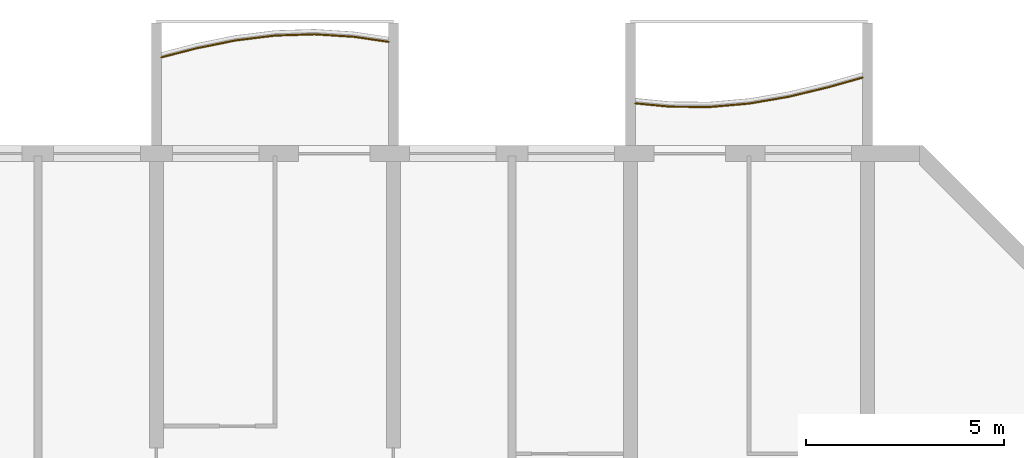
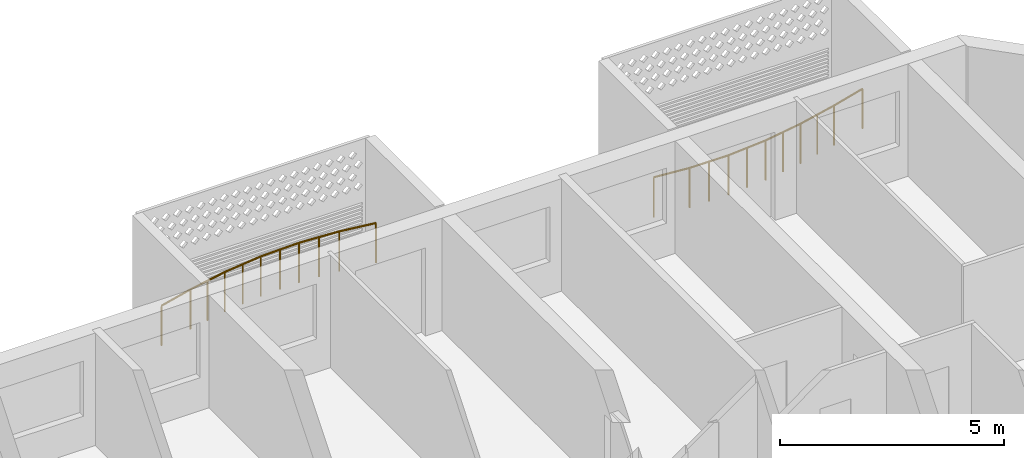
# One storey, part 24 of 25: 2 railings.
"""IFC4 building model written with IfcOpenShell, lengths in metres."""

from ifc_helpers import new_model, si_unit, direction, frame, origin, origin_2d, place, context, subcontext, project, spatial, circle, extrude, material, type_object, element, save


model = new_model("IFC4")

# Units and contexts
model_context = context("Model", 3, precision=1e-05, world=origin(), true_north=direction((0.0, 1.0)))
body_context = subcontext(model_context, "Body", "Model", "MODEL_VIEW")
ifc_project = project(units=[si_unit("LENGTHUNIT", "METRE"), si_unit("AREAUNIT", "SQUARE_METRE"), si_unit("VOLUMEUNIT", "CUBIC_METRE"), si_unit("PLANEANGLEUNIT", "RADIAN"), si_unit("MASSUNIT", "GRAM", prefix="KILO")], contexts=[model_context])

# Site, building, storey
site_placement = place(None, origin())
site = spatial("IfcSite", under=ifc_project, at=site_placement, CompositionType="ELEMENT")
building_placement = place(site_placement, origin())
building = spatial("IfcBuilding", under=site, at=building_placement, Name="Poui Terraces", CompositionType="ELEMENT")
storey_placement = place(building_placement, frame((0.0, 0.0, 89.39990234375)))
storey = spatial("IfcBuildingStorey", under=building, at=storey_placement, Name="L24", CompositionType="ELEMENT", Elevation=89.39990234375)

# Railings
ifc_material = material(Name="Painted steel fretwork", Category="steel")
railing_type = type_object("IfcRailingType", Name="BALCONY GUARD 1100", PredefinedType="GUARDRAIL", material=ifc_material)
railing_1_placement = place(storey_placement, frame((72.125, 46.03466796875, 0.0)))
element("IfcRailing", 1, at=railing_1_placement, inside=storey, type_object=railing_type, Name="BALCONY GUARD", PredefinedType="GUARDRAIL", context=body_context, shape_type="SweptSolid", body=[
    extrude(circle(Radius=0.02392578125, at=origin_2d()), frame((0.0, 0.0, 1.076171875), z_axis=(0.968270997587, 0.249902531464, 0.0), x_axis=(-0.249902531464, 0.968270997587, 0.0)), (0.0, 0.0, 1.0), 0.903564453125),
    extrude(circle(Radius=0.02392578125, at=origin_2d()), frame((0.875, 0.225830078125, 1.076171875), z_axis=(0.980080566497, 0.198600310106, 0.0), x_axis=(-0.198600310106, 0.980080566497, 0.0)), (0.0, 0.0, 1.0), 1.020263671875),
    extrude(circle(Radius=0.02392578125, at=origin_2d()), frame((1.875, 0.428466796875, 1.076171875), z_axis=(0.992426262271, 0.122841824944, 0.0), x_axis=(-0.122841824944, 0.992426262271, 0.0)), (0.0, 0.0, 1.0), 1.007568359375),
    extrude(circle(Radius=0.02392578125, at=origin_2d()), frame((2.875, 0.55224609375, 1.076171875), z_axis=(0.999496720941, 0.031722308038, 0.0), x_axis=(-0.031722308038, 0.999496720941, 0.0)), (0.0, 0.0, 1.0), 1.00048828125),
    extrude(circle(Radius=0.02392578125, at=origin_2d()), frame((3.875, 0.583984375, 1.076171875), z_axis=(0.998006805525, -0.063106387361, 0.0), x_axis=(0.063106387361, 0.998006805525, 0.0)), (0.0, 0.0, 1.0), 1.001953125),
    extrude(circle(Radius=0.02392578125, at=origin_2d()), frame((4.875, 0.520751953125, 1.076171875), z_axis=(0.989401169276, -0.1452078725, 0.0), x_axis=(0.1452078725, 0.989401169276, 0.0)), (0.0, 0.0, 1.0), 0.88427734375),
    extrude(circle(Radius=0.02099609375, at=origin_2d()), origin(), (0.0, 0.0, 1.0), 1.052001953125),
    extrude(circle(Radius=0.02099609375, at=origin_2d()), frame((0.875, 0.225830078125, 0.0)), (0.0, 0.0, 1.0), 1.052001953125),
    extrude(circle(Radius=0.02099609375, at=origin_2d()), frame((1.375, 0.3271484375, 0.0)), (0.0, 0.0, 1.0), 1.052001953125),
    extrude(circle(Radius=0.02099609375, at=origin_2d()), frame((1.875, 0.428466796875, 0.0)), (0.0, 0.0, 1.0), 1.052001953125),
    extrude(circle(Radius=0.02099609375, at=origin_2d()), frame((2.375, 0.490234375, 0.0)), (0.0, 0.0, 1.0), 1.052001953125),
    extrude(circle(Radius=0.02099609375, at=origin_2d()), frame((2.875, 0.55224609375, 0.0)), (0.0, 0.0, 1.0), 1.052001953125),
    extrude(circle(Radius=0.02099609375, at=origin_2d()), frame((3.375, 0.568115234375, 0.0)), (0.0, 0.0, 1.0), 1.052001953125),
    extrude(circle(Radius=0.02099609375, at=origin_2d()), frame((3.875, 0.583984375, 0.0)), (0.0, 0.0, 1.0), 1.052001953125),
    extrude(circle(Radius=0.02099609375, at=origin_2d()), frame((4.375, 0.55224609375, 0.0)), (0.0, 0.0, 1.0), 1.052001953125),
    extrude(circle(Radius=0.02099609375, at=origin_2d()), frame((4.875, 0.520751953125, 0.0)), (0.0, 0.0, 1.0), 1.052001953125),
    extrude(circle(Radius=0.02099609375, at=origin_2d()), frame((5.75, 0.392333984375, 0.0)), (0.0, 0.0, 1.0), 1.052001953125),
])
railing_2_placement = place(storey_placement, frame((84.125, 44.870361328125, 0.0)))
element("IfcRailing", 2, at=railing_2_placement, inside=storey, type_object=railing_type, Name="BALCONY GUARD", PredefinedType="GUARDRAIL", context=body_context, shape_type="SweptSolid", body=[
    extrude(circle(Radius=0.02392578125, at=origin_2d()), frame((0.0, 0.0, 1.076171875), z_axis=(0.995425298545, -0.095543053209, 0.0), x_axis=(0.095543053209, 0.995425298545, 0.0)), (0.0, 0.0, 1.0), 0.87890625),
    extrude(circle(Radius=0.02392578125, at=origin_2d()), frame((0.875, -0.083984375, 1.076171875), z_axis=(0.999967546851, -0.008056379162, 0.0), x_axis=(0.008056379162, 0.999967546851, 0.0)), (0.0, 0.0, 1.0), 1.0),
    extrude(circle(Radius=0.02392578125, at=origin_2d()), frame((1.875, -0.092041015625, 1.076171875), z_axis=(0.996286084847, 0.086104803231, 0.0), x_axis=(-0.086104803231, 0.996286084847, 0.0)), (0.0, 0.0, 1.0), 1.003662109375),
    extrude(circle(Radius=0.02392578125, at=origin_2d()), frame((2.875, -0.005615234375, 1.076171875), z_axis=(0.98554889076, 0.169391215599, 0.0), x_axis=(-0.169391215599, 0.98554889076, 0.0)), (0.0, 0.0, 1.0), 1.0146484375),
    extrude(circle(Radius=0.02392578125, at=origin_2d()), frame((3.875, 0.166259765625, 1.076171875), z_axis=(0.972497106951, 0.232914956523, 0.0), x_axis=(-0.232914956523, 0.972497106951, 0.0)), (0.0, 0.0, 1.0), 1.0283203125),
    extrude(circle(Radius=0.02392578125, at=origin_2d()), frame((4.875, 0.40576171875, 1.076171875), z_axis=(0.962650940154, 0.270745576918, 0.0), x_axis=(-0.270745576918, 0.962650940154, 0.0)), (0.0, 0.0, 1.0), 0.908935546875),
    extrude(circle(Radius=0.02099609375, at=origin_2d()), origin(), (0.0, 0.0, 1.0), 1.052001953125),
    extrude(circle(Radius=0.02099609375, at=origin_2d()), frame((0.875, -0.083984375, 0.0)), (0.0, 0.0, 1.0), 1.052001953125),
    extrude(circle(Radius=0.02099609375, at=origin_2d()), frame((1.375, -0.087890625, 0.0)), (0.0, 0.0, 1.0), 1.052001953125),
    extrude(circle(Radius=0.02099609375, at=origin_2d()), frame((1.875, -0.092041015625, 0.0)), (0.0, 0.0, 1.0), 1.052001953125),
    extrude(circle(Radius=0.02099609375, at=origin_2d()), frame((2.375, -0.048828125, 0.0)), (0.0, 0.0, 1.0), 1.052001953125),
    extrude(circle(Radius=0.02099609375, at=origin_2d()), frame((2.875, -0.005615234375, 0.0)), (0.0, 0.0, 1.0), 1.052001953125),
    extrude(circle(Radius=0.02099609375, at=origin_2d()), frame((3.375, 0.080322265625, 0.0)), (0.0, 0.0, 1.0), 1.052001953125),
    extrude(circle(Radius=0.02099609375, at=origin_2d()), frame((3.875, 0.166259765625, 0.0)), (0.0, 0.0, 1.0), 1.052001953125),
    extrude(circle(Radius=0.02099609375, at=origin_2d()), frame((4.375, 0.2861328125, 0.0)), (0.0, 0.0, 1.0), 1.052001953125),
    extrude(circle(Radius=0.02099609375, at=origin_2d()), frame((4.875, 0.40576171875, 0.0)), (0.0, 0.0, 1.0), 1.052001953125),
    extrude(circle(Radius=0.02099609375, at=origin_2d()), frame((5.75, 0.65185546875, 0.0)), (0.0, 0.0, 1.0), 1.052001953125),
])

save(model, "model.ifc")
